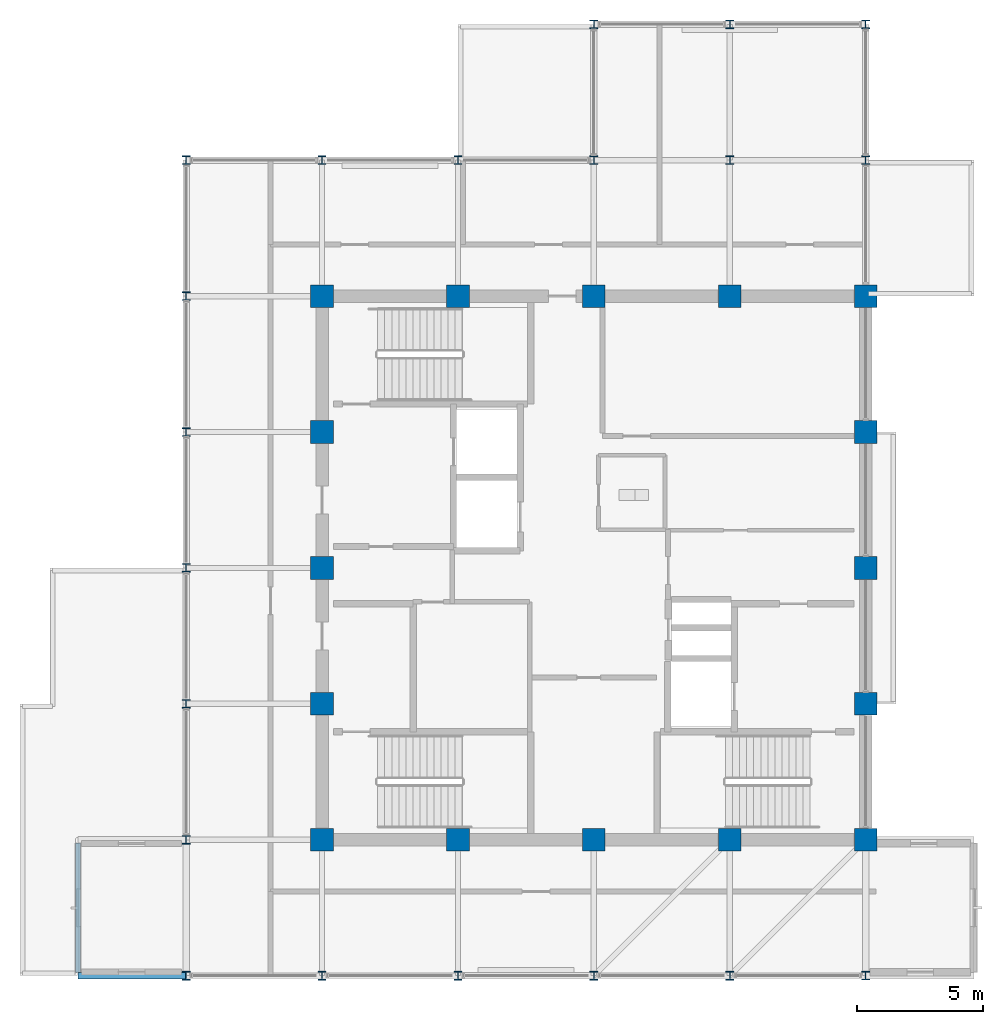
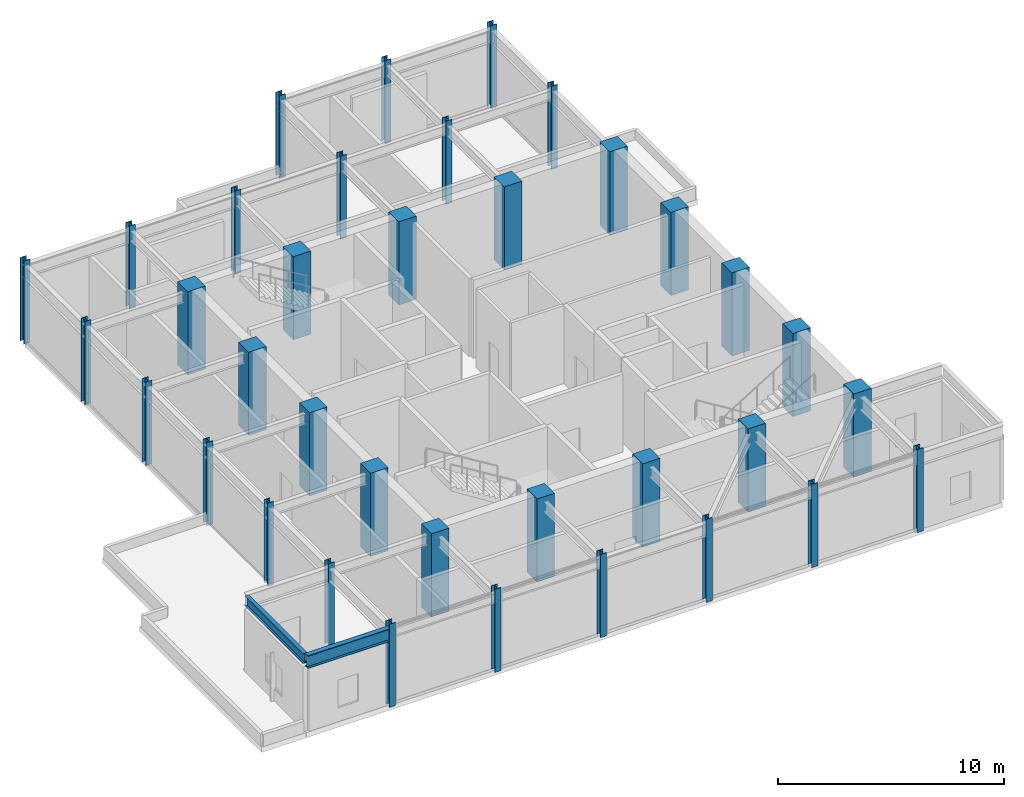
# One storey, part 1 of 18: 36 columns, 2 beams.
"""IFC4 building model written with IfcOpenShell, lengths in metres."""

from ifc_helpers import new_model, si_unit, direction, frame, origin, origin_2d, place, context, subcontext, project, spatial, rectangle, i_section, extrude, material, material_profile, profile_set, type_object, element, save


model = new_model("IFC4")

# Units and contexts
model_context = context("Model", 3, precision=1e-05, world=origin(), true_north=direction((0.0, 1.0)))
body_context = subcontext(model_context, "Body", "Model", "MODEL_VIEW")
ifc_project = project(units=[si_unit("LENGTHUNIT", "METRE"), si_unit("AREAUNIT", "SQUARE_METRE"), si_unit("VOLUMEUNIT", "CUBIC_METRE"), si_unit("PLANEANGLEUNIT", "RADIAN"), si_unit("MASSUNIT", "GRAM", prefix="KILO")], contexts=[model_context])

# Site, building, storey
site_placement = place(None, origin())
site = spatial("IfcSite", under=ifc_project, at=site_placement, CompositionType="ELEMENT")
building_placement = place(site_placement, origin())
building = spatial("IfcBuilding", under=site, at=building_placement, Name="Surkhivell Harbour Commons", CompositionType="ELEMENT")
storey_placement = place(building_placement, frame((0.0, 0.0, 351.0)))
storey = spatial("IfcBuildingStorey", under=building, at=storey_placement, Name="L91", CompositionType="ELEMENT", Elevation=351.0)

# Columns
ifc_material_1 = material(Name="Steel S355", Category="steel")
ifc_material_profile_1 = material_profile(ifc_material_1, i_section(OverallWidth=0.31396484375, OverallDepth=0.340087890625, WebThickness=0.01904296875, FlangeThickness=0.031494140625, at=origin_2d()), Name="UC305x305x198")
ifc_profile_set_1 = profile_set([ifc_material_profile_1], Name="Steel S355")
column_type_1 = type_object("IfcColumnType", Name="COL-CRN-UC305", PredefinedType="COLUMN", material=ifc_profile_set_1)
for number, where, z_axis, x_axis, name in (
    (1, (-16.199951171875, -16.199951171875, 0.0), (0.0, 0.0, 1.0), (1.0, 0.0, 0.0), "L91 Column CCRN-3 (-16.2,-16.2)"),
    (2, (-16.199951171875, -10.800048828125, 0.0), (0.0, 0.0, 1.0), (1.0, 0.0, 0.0), "L91 Column CCRN-3 (-16.2,-10.8)"),
    (3, (-16.199951171875, -5.39990234375, 0.0), (0.0, 0.0, 1.0), (1.0, 0.0, 0.0), "L91 Column CCRN-3 (-16.2,-5.4)"),
    (4, (-16.199951171875, 0.0, 0.0), (0.0, 0.0, 1.0), (1.0, 0.0, 0.0), "L91 Column CCRN-3 (-16.2,0.0)"),
    (5, (-16.199951171875, 5.39990234375, 0.0), (0.0, 0.0, 1.0), (1.0, 0.0, 0.0), "L91 Column CCRN-3 (-16.2,5.4)"),
    (6, (-16.199951171875, 10.800048828125, 0.0), (0.0, 0.0, 1.0), (1.0, 0.0, 0.0), "L91 Column CCRN-3 (-16.2,10.8)"),
    (7, (-16.199951171875, 16.199951171875, 0.0), (0.0, 0.0, 1.0), (1.0, 0.0, 0.0), "L91 Column CCRN-3 (-16.2,16.2)"),
    (8, (-10.800048828125, -16.199951171875, 0.0), (0.0, 0.0, 1.0), (1.0, 0.0, 0.0), "L91 Column CCRN-3 (-10.8,-16.2)"),
    (9, (-10.800048828125, 16.199951171875, 0.0), (0.0, 0.0, 1.0), (1.0, 0.0, 0.0), "L91 Column CCRN-3 (-10.8,16.2)"),
    (10, (-5.39990234375, -16.199951171875, 0.0), (0.0, 0.0, 1.0), (1.0, 0.0, 0.0), "L91 Column CCRN-3 (-5.4,-16.2)"),
    (11, (-5.39990234375, 16.199951171875, 0.0), (0.0, 0.0, 1.0), (1.0, 0.0, 0.0), "L91 Column CCRN-3 (-5.4,16.2)"),
    (12, (0.0, -16.199951171875, 0.0), (0.0, 0.0, 1.0), (1.0, 0.0, 0.0), "L91 Column CCRN-3 (0.0,-16.2)"),
    (13, (0.0, 16.199951171875, 0.0), (0.0, 0.0, 1.0), (1.0, 0.0, 0.0), "L91 Column CCRN-3 (0.0,16.2)"),
    (14, (0.0, 21.60009765625, 0.0), (0.0, 0.0, 1.0), (1.0, 0.0, 0.0), "L91 Column CCRN-3 (0.0,21.6)"),
    (15, (5.39990234375, -16.199951171875, 0.0), (0.0, 0.0, 1.0), (1.0, 0.0, 0.0), "L91 Column CCRN-3 (5.4,-16.2)"),
    (16, (5.39990234375, 16.199951171875, 0.0), (0.0, 0.0, 1.0), (1.0, 0.0, 0.0), "L91 Column CCRN-3 (5.4,16.2)"),
    (17, (5.39990234375, 21.60009765625, 0.0), (0.0, 0.0, 1.0), (1.0, 0.0, 0.0), "L91 Column CCRN-3 (5.4,21.6)"),
    (18, (10.800048828125, -16.199951171875, 0.0), (0.0, 0.0, 1.0), (1.0, 0.0, 0.0), "L91 Column CCRN-3 (10.8,-16.2)"),
    (19, (10.800048828125, 16.199951171875, 0.0), (0.0, 0.0, 1.0), (1.0, 0.0, 0.0), "L91 Column CCRN-3 (10.8,16.2)"),
    (20, (10.800048828125, 21.60009765625, 0.0), (0.0, 0.0, 1.0), (1.0, 0.0, 0.0), "L91 Column CCRN-3 (10.8,21.6)"),
):
    element("IfcColumn", number, at=place(storey_placement, frame(where, z_axis=z_axis, x_axis=x_axis)), inside=storey, type_object=column_type_1, Name=name, PredefinedType="COLUMN", context=body_context, shape_type="SweptSolid", body=[
        extrude(i_section(OverallWidth=0.31396484375, OverallDepth=0.340087890625, WebThickness=0.01904296875, FlangeThickness=0.031494140625, at=origin_2d()), origin(), (0.0, 0.0, 1.0), 4.5),
    ])
ifc_material_2 = material(Name="Concrete C60/75", Category="concrete")
ifc_material_profile_2 = material_profile(ifc_material_2, rectangle(XDim=0.89990234375, YDim=0.89990234375, at=origin_2d()), Name="RC-COL-900x900")
ifc_profile_set_2 = profile_set([ifc_material_profile_2], Name="Concrete C60/75")
column_type_2 = type_object("IfcColumnType", Name="COL-TUBE-Z3A", PredefinedType="COLUMN", material=ifc_profile_set_2)
for number, where, z_axis, x_axis, name in (
    (21, (-10.800048828125, -10.800048828125, 0.0), (0.0, 0.0, 1.0), (1.0, 0.0, 0.0), "L91 Column CT-3A (-10.8,-10.8)"),
    (22, (-10.800048828125, -5.39990234375, 0.0), (0.0, 0.0, 1.0), (1.0, 0.0, 0.0), "L91 Column CT-3A (-10.8,-5.4)"),
    (23, (-10.800048828125, 0.0, 0.0), (0.0, 0.0, 1.0), (1.0, 0.0, 0.0), "L91 Column CT-3A (-10.8,0.0)"),
    (24, (-10.800048828125, 5.39990234375, 0.0), (0.0, 0.0, 1.0), (1.0, 0.0, 0.0), "L91 Column CT-3A (-10.8,5.4)"),
    (25, (-10.800048828125, 10.800048828125, 0.0), (0.0, 0.0, 1.0), (1.0, 0.0, 0.0), "L91 Column CT-3A (-10.8,10.8)"),
    (26, (-5.39990234375, -10.800048828125, 0.0), (0.0, 0.0, 1.0), (1.0, 0.0, 0.0), "L91 Column CT-3A (-5.4,-10.8)"),
    (27, (-5.39990234375, 10.800048828125, 0.0), (0.0, 0.0, 1.0), (1.0, 0.0, 0.0), "L91 Column CT-3A (-5.4,10.8)"),
    (28, (0.0, -10.800048828125, 0.0), (0.0, 0.0, 1.0), (1.0, 0.0, 0.0), "L91 Column CT-3A (0.0,-10.8)"),
    (29, (0.0, 10.800048828125, 0.0), (0.0, 0.0, 1.0), (1.0, 0.0, 0.0), "L91 Column CT-3A (0.0,10.8)"),
    (30, (5.39990234375, -10.800048828125, 0.0), (0.0, 0.0, 1.0), (1.0, 0.0, 0.0), "L91 Column CT-3A (5.4,-10.8)"),
    (31, (5.39990234375, 10.800048828125, 0.0), (0.0, 0.0, 1.0), (1.0, 0.0, 0.0), "L91 Column CT-3A (5.4,10.8)"),
    (32, (10.800048828125, -10.800048828125, 0.0), (0.0, 0.0, 1.0), (1.0, 0.0, 0.0), "L91 Column CT-3A (10.8,-10.8)"),
    (33, (10.800048828125, -5.39990234375, 0.0), (0.0, 0.0, 1.0), (1.0, 0.0, 0.0), "L91 Column CT-3A (10.8,-5.4)"),
    (34, (10.800048828125, 0.0, 0.0), (0.0, 0.0, 1.0), (1.0, 0.0, 0.0), "L91 Column CT-3A (10.8,0.0)"),
    (35, (10.800048828125, 5.39990234375, 0.0), (0.0, 0.0, 1.0), (1.0, 0.0, 0.0), "L91 Column CT-3A (10.8,5.4)"),
    (36, (10.800048828125, 10.800048828125, 0.0), (0.0, 0.0, 1.0), (1.0, 0.0, 0.0), "L91 Column CT-3A (10.8,10.8)"),
):
    element("IfcColumn", number, at=place(storey_placement, frame(where, z_axis=z_axis, x_axis=x_axis)), inside=storey, type_object=column_type_2, Name=name, PredefinedType="COLUMN", context=body_context, shape_type="SweptSolid", body=[
        extrude(rectangle(XDim=0.89990234375, YDim=0.89990234375, at=origin_2d()), origin(), (0.0, 0.0, 1.0), 4.5),
    ])

# Beams
ifc_material_3 = material(Name="Steel S460", Category="steel")
ifc_material_profile_3 = material_profile(ifc_material_3, i_section(OverallWidth=0.256103515625, OverallDepth=0.693115234375, WebThickness=0.014404296875, FlangeThickness=0.023681640625, at=origin_2d()), Name="UB686x254x170")
ifc_profile_set_3 = profile_set([ifc_material_profile_3], Name="Steel S460")
beam_type_1 = type_object("IfcBeamType", Name="BM-CNT-686", PredefinedType="BEAM", material=ifc_profile_set_3)
beam_1_placement = place(storey_placement, frame((-16.199951171875, -16.199951171875, 3.87353515625), z_axis=(-1.0, 0.0, 0.0), x_axis=(0.0, -1.0, 0.0)))
element("IfcBeam", 37, at=beam_1_placement, inside=storey, type_object=beam_type_1, Name="L91 Box Cantilever Outrigger (-16.2,-16.2)", PredefinedType="BEAM", context=body_context, shape_type="SweptSolid", body=[
    extrude(i_section(OverallWidth=0.256103515625, OverallDepth=0.693115234375, WebThickness=0.014404296875, FlangeThickness=0.023681640625, at=origin_2d()), origin(), (0.0, 0.0, 1.0), 4.300048828125),
])
ifc_material_profile_4 = material_profile(ifc_material_1, i_section(OverallWidth=0.2099609375, OverallDepth=0.537109375, WebThickness=0.0107421875, FlangeThickness=0.017333984375, at=origin_2d()), Name="UB533x210x101")
ifc_profile_set_4 = profile_set([ifc_material_profile_4], Name="Steel S355")
beam_type_2 = type_object("IfcBeamType", Name="BM-GRD-533B", PredefinedType="BEAM", material=ifc_profile_set_4)
beam_2_placement = place(storey_placement, frame((-20.5, -16.077880859375, 3.951416015625), z_axis=(0.0, 1.0, 0.0), x_axis=(-1.0, 0.0, 0.0)))
element("IfcBeam", 38, at=beam_2_placement, inside=storey, type_object=beam_type_2, Name="L91 Box Rim Spandrel (-20.5,-16.2)", PredefinedType="BEAM", context=body_context, shape_type="SweptSolid", body=[
    extrude(i_section(OverallWidth=0.2099609375, OverallDepth=0.537109375, WebThickness=0.0107421875, FlangeThickness=0.017333984375, at=origin_2d()), origin(), (0.0, 0.0, 1.0), 5.15576171875),
])

save(model, "model.ifc")
